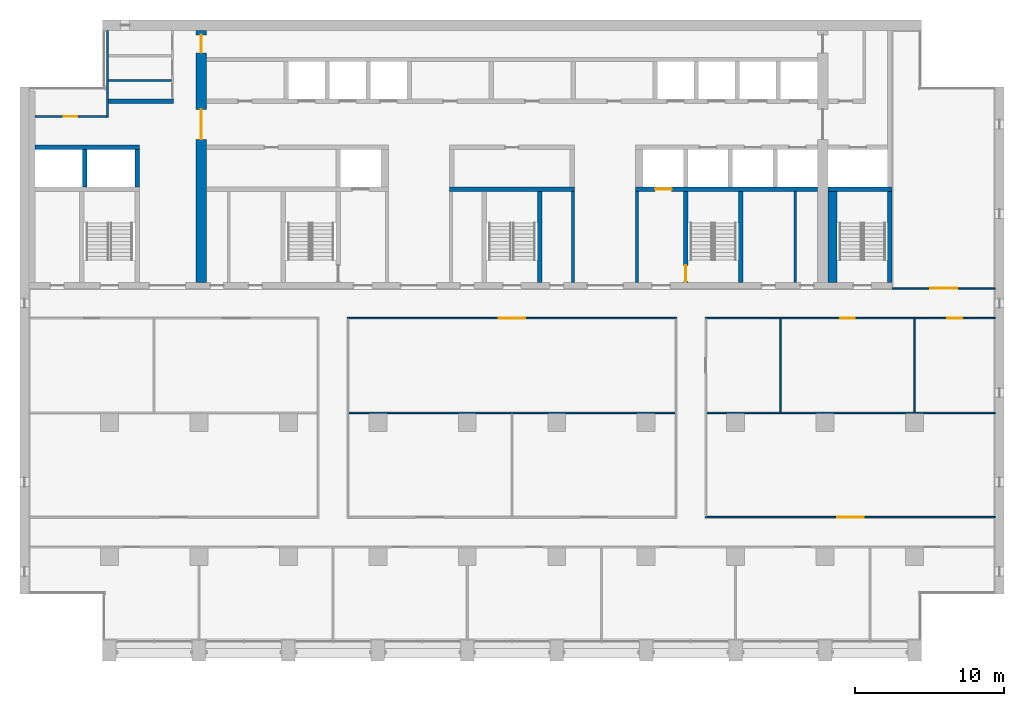
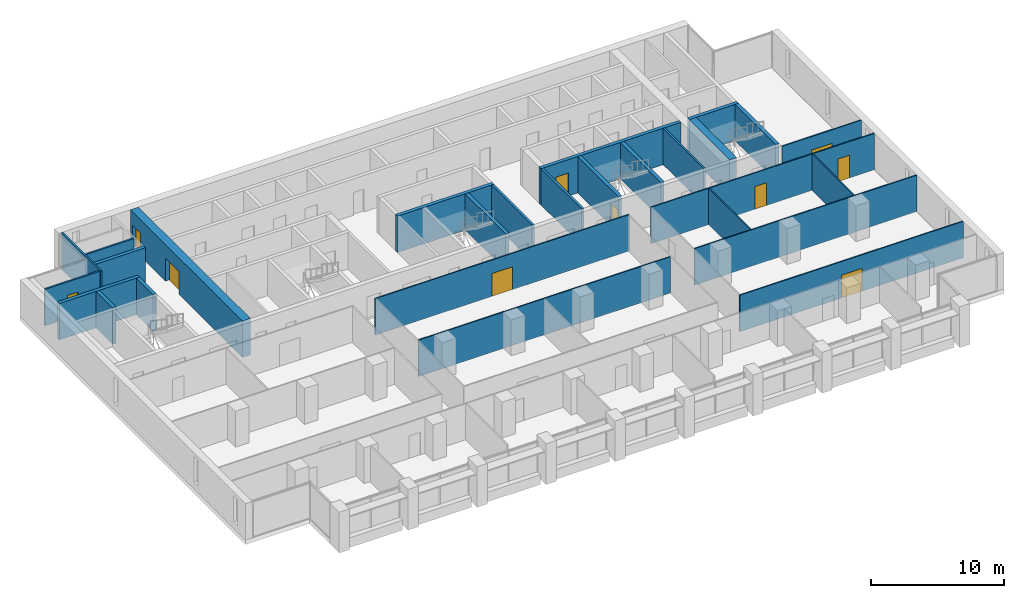
# One storey, part 10 of 17: 27 walls, 10 doors, 10 openings.
"""IFC4 building model written with IfcOpenShell, lengths in metres."""

from ifc_helpers import new_model, si_unit, direction, frame, frame_2d, origin, place, context, subcontext, project, spatial, rectangle, extrude, material, layer, layer_set, type_object, element, fill, save


model = new_model("IFC4")

# Units and contexts
model_context = context("Model", 3, precision=1e-05, world=origin(), true_north=direction((0.0, 1.0)))
body_context = subcontext(model_context, "Body", "Model", "MODEL_VIEW")
ifc_project = project(units=[si_unit("LENGTHUNIT", "METRE"), si_unit("AREAUNIT", "SQUARE_METRE"), si_unit("VOLUMEUNIT", "CUBIC_METRE"), si_unit("PLANEANGLEUNIT", "RADIAN"), si_unit("MASSUNIT", "GRAM", prefix="KILO")], contexts=[model_context])

# Site, building, storey
site_placement = place(None, origin())
site = spatial("IfcSite", under=ifc_project, at=site_placement, CompositionType="ELEMENT")
building_placement = place(site_placement, origin())
building = spatial("IfcBuilding", under=site, at=building_placement, Name="Calvaro Tower", CompositionType="ELEMENT")
storey_placement = place(building_placement, frame((0.0, 0.0, 174.25)))
storey = spatial("IfcBuildingStorey", under=building, at=storey_placement, Name="L43", CompositionType="ELEMENT", Elevation=174.25)

# Walls
ifc_material_1 = material(Name="Blockwork partition", Category="masonry")
ifc_layer_1 = layer(ifc_material_1, 0.14990234375)
ifc_layer_set_1 = layer_set([ifc_layer_1], Name="Blockwork partition")
wall_type_1 = type_object("IfcWallType", Name="Core partition 150 EI 60", PredefinedType="PARTITIONING", material=ifc_layer_set_1)
wall_1_placement = place(storey_placement, frame((58.0, 28.39990234375, 0.0), z_axis=(0.0, 0.0, 1.0), x_axis=(0.0, 1.0, 0.0)))
element("IfcWall", 1, at=wall_1_placement, inside=storey, type_object=wall_type_1, Name="Core partition", PredefinedType="PARTITIONING", context=body_context, shape_type="SweptSolid", body=[
    extrude(rectangle(XDim=6.10009765625, YDim=0.14990234375, at=frame_2d((3.050048828125, 0.0))), origin(), (0.0, 0.0, 1.0), 3.35009765625),
])
wall_2_placement = place(storey_placement, frame((11.949951171875, 41.949951171875, 0.0), z_axis=(0.0, 0.0, 1.0), x_axis=(1.0, 0.0, 0.0)))
element("IfcWall", 2, at=wall_2_placement, inside=storey, type_object=wall_type_1, Name="Core partition", PredefinedType="PARTITIONING", context=body_context, shape_type="SweptSolid", body=[
    extrude(rectangle(XDim=4.199951171875, YDim=0.14990234375, at=frame_2d((2.10009765625, 0.0))), origin(), (0.0, 0.0, 1.0), 3.35009765625),
])
ifc_material_2 = material(Name="Blockwork partition", Category="masonry")
ifc_layer_2 = layer(ifc_material_2, 0.14990234375)
ifc_layer_set_2 = layer_set([ifc_layer_2], Name="Blockwork partition")
wall_type_2 = type_object("IfcWallType", Name="Core partition 150 REI 120", PredefinedType="PARTITIONING", material=ifc_layer_set_2)
wall_3_placement = place(storey_placement, frame((11.875, 39.449951171875, 0.0), z_axis=(0.0, 0.0, 1.0), x_axis=(0.0, 1.0, 0.0)))
element("IfcWall", 3, at=wall_3_placement, inside=storey, type_object=wall_type_2, Name="Core partition", PredefinedType="PARTITIONING", context=body_context, shape_type="SweptSolid", body=[
    extrude(rectangle(XDim=5.85009765625, YDim=0.14990234375, at=frame_2d((2.925048828125, 0.0))), origin(), (0.0, 0.0, 1.0), 3.35009765625),
])

# Wall, opening, door
wall_4_placement = place(storey_placement, frame((7.0, 39.52490234375, 0.0), z_axis=(0.0, 0.0, 1.0), x_axis=(1.0, 0.0, 0.0)))
wall_4 = element("IfcWall", 4, at=wall_4_placement, inside=storey, type_object=wall_type_2, Name="Core partition", PredefinedType="PARTITIONING", context=body_context, shape_type="SweptSolid", body=[
    extrude(rectangle(XDim=4.800048828125, YDim=0.14990234375, at=frame_2d((2.39990234375, 0.0))), origin(), (0.0, 0.0, 1.0), 3.35009765625),
])
opening_1_placement = place(wall_4_placement, frame((1.949951171875, 0.0, 0.0)))
opening_1 = element("IfcOpeningElement", 5, at=opening_1_placement, cuts=wall_4, Name="Opening RD9", PredefinedType="OPENING", context=body_context, shape_type="SweptSolid", body=[
    extrude(rectangle(XDim=0.89990234375, YDim=2.10009765625, at=frame_2d((0.449951171875, 1.050048828125))), frame((0.0, 0.0849609375, 0.0), z_axis=(0.0, -1.0, 0.0), x_axis=(1.0, 0.0, 0.0)), (0.0, 0.0, 1.0), 0.169921875),
])
ifc_material_3 = material(Name="Steel door set", Category="steel")
door_type_1 = type_object("IfcDoorType", Name="Room door 900", OperationType="SINGLE_SWING_LEFT", PredefinedType="DOOR", material=ifc_material_3)
door_1_placement = place(opening_1_placement, origin())
door_1 = element("IfcDoor", 6, at=door_1_placement, inside=storey, type_object=door_type_1, Name="Room door", OperationType="SINGLE_SWING_LEFT", OverallHeight=2.10009765625, OverallWidth=0.89990234375, PredefinedType="DOOR", context=body_context, shape_type="SweptSolid", body=[
    extrude(rectangle(XDim=0.89990234375, YDim=2.10009765625, at=frame_2d((0.449951171875, 1.050048828125))), frame((0.0, 0.02490234375, 0.0), z_axis=(0.0, -1.0, 0.0), x_axis=(1.0, 0.0, 0.0)), (0.0, 0.0, 1.0), 0.050048828125),
])
fill(opening_1, door_1)

# Walls
ifc_material_4 = material(Name="Blockwork partition", Category="masonry")
ifc_layer_3 = layer(ifc_material_4, 0.199951171875)
ifc_layer_set_3 = layer_set([ifc_layer_3], Name="Blockwork partition")
wall_type_3 = type_object("IfcWallType", Name="Core partition 200 REI 120", PredefinedType="PARTITIONING", material=ifc_layer_set_3)
for number, where, z_axis, x_axis, name in (
    (7, (43.10009765625, 28.39990234375, 0.0), (0.0, 0.0, 1.0), (0.0, 1.0, 0.0), "Core partition"),
    (8, (47.39990234375, 28.39990234375, 0.0), (0.0, 0.0, 1.0), (0.0, 1.0, 0.0), "Core partition"),
):
    element("IfcWall", number, at=place(storey_placement, frame(where, z_axis=z_axis, x_axis=x_axis)), inside=storey, type_object=wall_type_3, Name=name, PredefinedType="PARTITIONING", context=body_context, shape_type="SweptSolid", body=[
        extrude(rectangle(XDim=6.10009765625, YDim=0.199951171875, at=frame_2d((3.050048828125, 0.0))), origin(), (0.0, 0.0, 1.0), 3.35009765625),
    ])
ifc_material_5 = material(Name="Blockwork partition", Category="masonry")
ifc_layer_4 = layer(ifc_material_5, 0.300048828125)
ifc_layer_set_4 = layer_set([ifc_layer_4], Name="Blockwork partition")
wall_type_4 = type_object("IfcWallType", Name="Core partition 300 REI 120", PredefinedType="PARTITIONING", material=ifc_layer_set_4)
wall_5_placement = place(storey_placement, frame((11.949951171875, 40.550048828125, 0.0), z_axis=(0.0, 0.0, 1.0), x_axis=(1.0, 0.0, 0.0)))
element("IfcWall", 9, at=wall_5_placement, inside=storey, type_object=wall_type_4, Name="Core partition", PredefinedType="PARTITIONING", context=body_context, shape_type="SweptSolid", body=[
    extrude(rectangle(XDim=4.35009765625, YDim=0.300048828125, at=frame_2d((2.175048828125, 0.0))), origin(), (0.0, 0.0, 1.0), 3.35009765625),
])
ifc_material_6 = material(Name="Concrete C50/60", Category="concrete")
ifc_layer_5 = layer(ifc_material_6, 0.300048828125)
ifc_layer_set_5 = layer_set([ifc_layer_5], Name="Concrete C50/60")
wall_type_5 = type_object("IfcWallType", Name="Core wall C50/60 300", PredefinedType="SHEAR", material=ifc_layer_set_5)
wall_6_placement = place(storey_placement, frame((40.85009765625, 28.39990234375, 0.0), z_axis=(0.0, 0.0, 1.0), x_axis=(0.0, 1.0, 0.0)))
element("IfcWall", 10, at=wall_6_placement, inside=storey, type_object=wall_type_5, Name="Core wall, stair enclosure", PredefinedType="SHEAR", context=body_context, shape_type="SweptSolid", body=[
    extrude(rectangle(XDim=6.10009765625, YDim=0.300048828125, at=frame_2d((3.050048828125, 0.0))), origin(), (0.0, 0.0, 1.0), 3.35009765625),
])

# Wall, opening, door
wall_7_placement = place(storey_placement, frame((50.64990234375, 34.5, 0.0), z_axis=(0.0, 0.0, 1.0), x_axis=(0.0, -1.0, 0.0)))
wall_7 = element("IfcWall", 11, at=wall_7_placement, inside=storey, type_object=wall_type_5, Name="Core wall, stair enclosure", PredefinedType="SHEAR", context=body_context, shape_type="SweptSolid", body=[
    extrude(rectangle(XDim=6.10009765625, YDim=0.300048828125, at=frame_2d((3.050048828125, 0.0))), origin(), (0.0, 0.0, 1.0), 3.35009765625),
])
opening_2_placement = place(wall_7_placement, frame((4.949951171875, 0.0, 0.0)))
opening_2 = element("IfcOpeningElement", 12, at=opening_2_placement, cuts=wall_7, Name="Opening FD11D", PredefinedType="OPENING", context=body_context, shape_type="SweptSolid", body=[
    extrude(rectangle(XDim=1.10009765625, YDim=2.10009765625, at=frame_2d((0.550048828125, 1.050048828125))), frame((0.0, 0.159912109375, 0.0), z_axis=(0.0, -1.0, 0.0), x_axis=(1.0, 0.0, 0.0)), (0.0, 0.0, 1.0), 0.320068359375),
])
ifc_material_7 = material(Name="Steel door set", Category="steel")
door_type_2 = type_object("IfcDoorType", Name="Fire door 1100 FD30S", OperationType="SINGLE_SWING_LEFT", PredefinedType="DOOR", material=ifc_material_7)
door_2_placement = place(opening_2_placement, origin())
door_2 = element("IfcDoor", 13, at=door_2_placement, inside=storey, type_object=door_type_2, Name="Fire door", OperationType="SINGLE_SWING_RIGHT", OverallHeight=2.10009765625, OverallWidth=1.10009765625, PredefinedType="DOOR", context=body_context, shape_type="SweptSolid", body=[
    extrude(rectangle(XDim=1.10009765625, YDim=2.10009765625, at=frame_2d((0.550048828125, 1.050048828125))), frame((0.0, 0.02490234375, 0.0), z_axis=(0.0, -1.0, 0.0), x_axis=(1.0, 0.0, 0.0)), (0.0, 0.0, 1.0), 0.050048828125),
])
fill(opening_2, door_2)

# Walls
for number, where, z_axis, x_axis, name in (
    (14, (54.35009765625, 28.39990234375, 0.0), (0.0, 0.0, 1.0), (0.0, 1.0, 0.0), "Core wall, stair enclosure"),
    (15, (64.35009765625, 28.39990234375, 0.0), (0.0, 0.0, 1.0), (0.0, 1.0, 0.0), "Core wall, stair enclosure"),
):
    element("IfcWall", number, at=place(storey_placement, frame(where, z_axis=z_axis, x_axis=x_axis)), inside=storey, type_object=wall_type_5, Name=name, PredefinedType="SHEAR", context=body_context, shape_type="SweptSolid", body=[
        extrude(rectangle(XDim=6.10009765625, YDim=0.300048828125, at=frame_2d((3.050048828125, 0.0))), origin(), (0.0, 0.0, 1.0), 3.35009765625),
    ])
wall_8_placement = place(storey_placement, frame((34.800048828125, 34.64990234375, 0.0), z_axis=(0.0, 0.0, 1.0), x_axis=(1.0, 0.0, 0.0)))
element("IfcWall", 16, at=wall_8_placement, inside=storey, type_object=wall_type_5, Name="Core wall, lift shaft", PredefinedType="SHEAR", context=body_context, shape_type="SweptSolid", body=[
    extrude(rectangle(XDim=8.39990234375, YDim=0.300048828125, at=frame_2d((4.199951171875, 0.0))), origin(), (0.0, 0.0, 1.0), 3.35009765625),
])

# Wall, opening, door
wall_9_placement = place(storey_placement, frame((47.300048828125, 34.64990234375, 0.0), z_axis=(0.0, 0.0, 1.0), x_axis=(1.0, 0.0, 0.0)))
wall_9 = element("IfcWall", 17, at=wall_9_placement, inside=storey, type_object=wall_type_5, Name="Core wall, lift shaft", PredefinedType="SHEAR", context=body_context, shape_type="SweptSolid", body=[
    extrude(rectangle(XDim=12.199951171875, YDim=0.300048828125, at=frame_2d((6.10009765625, 0.0))), origin(), (0.0, 0.0, 1.0), 3.35009765625),
])
opening_3_placement = place(wall_9_placement, frame((1.300048828125, 0.0, 0.0)))
opening_3 = element("IfcOpeningElement", 18, at=opening_3_placement, cuts=wall_9, Name="Opening FF2", PredefinedType="OPENING", context=body_context, shape_type="SweptSolid", body=[
    extrude(rectangle(XDim=1.10009765625, YDim=2.10009765625, at=frame_2d((0.550048828125, 1.050048828125))), frame((0.0, 0.159912109375, 0.0), z_axis=(0.0, -1.0, 0.0), x_axis=(1.0, 0.0, 0.0)), (0.0, 0.0, 1.0), 0.320068359375),
])
ifc_material_8 = material(Name="Stainless steel", Category="steel")
door_type_3 = type_object("IfcDoorType", Name="Landing door 1100 E 60", OperationType="SLIDING_TO_LEFT", PredefinedType="DOOR", material=ifc_material_8)
door_3_placement = place(opening_3_placement, origin())
door_3 = element("IfcDoor", 19, at=door_3_placement, inside=storey, type_object=door_type_3, Name="Landing door FF2", OperationType="SLIDING_TO_LEFT", OverallHeight=2.10009765625, OverallWidth=1.10009765625, PredefinedType="DOOR", context=body_context, shape_type="SweptSolid", body=[
    extrude(rectangle(XDim=1.10009765625, YDim=2.10009765625, at=frame_2d((0.550048828125, 1.050048828125))), frame((0.0, 0.02490234375, 0.0), z_axis=(0.0, -1.0, 0.0), x_axis=(1.0, 0.0, 0.0)), (0.0, 0.0, 1.0), 0.050048828125),
])
fill(opening_3, door_3)

# Walls
wall_10_placement = place(storey_placement, frame((60.199951171875, 34.64990234375, 0.0), z_axis=(0.0, 0.0, 1.0), x_axis=(1.0, 0.0, 0.0)))
element("IfcWall", 20, at=wall_10_placement, inside=storey, type_object=wall_type_5, Name="Core wall, lift shaft", PredefinedType="SHEAR", context=body_context, shape_type="SweptSolid", body=[
    extrude(rectangle(XDim=4.300048828125, YDim=0.300048828125, at=frame_2d((2.14990234375, 0.0))), origin(), (0.0, 0.0, 1.0), 3.35009765625),
])
wall_11_placement = place(storey_placement, frame((7.0, 37.449951171875, 0.0), z_axis=(0.0, 0.0, 1.0), x_axis=(1.0, 0.0, 0.0)))
element("IfcWall", 21, at=wall_11_placement, inside=storey, type_object=wall_type_5, Name="Core wall, lift shaft", PredefinedType="SHEAR", context=body_context, shape_type="SweptSolid", body=[
    extrude(rectangle(XDim=7.0, YDim=0.300048828125, at=frame_2d((3.5, 0.0))), origin(), (0.0, 0.0, 1.0), 3.35009765625),
])
for number, where, z_axis, x_axis, name in (
    (22, (13.85009765625, 34.800048828125, 0.0), (0.0, 0.0, 1.0), (0.0, 1.0, 0.0), "Core wall, lift shaft"),
    (23, (10.35009765625, 34.800048828125, 0.0), (0.0, 0.0, 1.0), (0.0, 1.0, 0.0), "Core wall, lift shaft"),
):
    element("IfcWall", number, at=place(storey_placement, frame(where, z_axis=z_axis, x_axis=x_axis)), inside=storey, type_object=wall_type_5, Name=name, PredefinedType="SHEAR", context=body_context, shape_type="SweptSolid", body=[
        extrude(rectangle(XDim=2.5, YDim=0.300048828125, at=frame_2d((1.25, 0.0))), origin(), (0.0, 0.0, 1.0), 3.35009765625),
    ])
ifc_material_9 = material(Name="Concrete C50/60", Category="concrete")
ifc_layer_6 = layer(ifc_material_9, 0.60009765625)
ifc_layer_set_6 = layer_set([ifc_layer_6], Name="Concrete C50/60")
wall_type_6 = type_object("IfcWallType", Name="Core wall C50/60 600", PredefinedType="SHEAR", material=ifc_layer_set_6)
wall_12_placement = place(storey_placement, frame((60.5, 28.39990234375, 0.0), z_axis=(0.0, 0.0, 1.0), x_axis=(0.0, 1.0, 0.0)))
element("IfcWall", 24, at=wall_12_placement, inside=storey, type_object=wall_type_6, Name="Core wall, stair enclosure", PredefinedType="SHEAR", context=body_context, shape_type="SweptSolid", body=[
    extrude(rectangle(XDim=6.10009765625, YDim=0.60009765625, at=frame_2d((3.050048828125, 0.0))), origin(), (0.0, 0.0, 1.0), 3.35009765625),
])

# Wall, openings, doors
ifc_material_10 = material(Name="Concrete C50/60", Category="concrete")
ifc_layer_7 = layer(ifc_material_10, 0.699951171875)
ifc_layer_set_7 = layer_set([ifc_layer_7], Name="Concrete C50/60")
wall_type_7 = type_object("IfcWallType", Name="Core wall C50/60 700", PredefinedType="SHEAR", material=ifc_layer_set_7)
wall_13_placement = place(storey_placement, frame((18.14990234375, 28.39990234375, 0.0), z_axis=(0.0, 0.0, 1.0), x_axis=(0.0, 1.0, 0.0)))
wall_13 = element("IfcWall", 25, at=wall_13_placement, inside=storey, type_object=wall_type_7, Name="Core wall, cross shear wall", PredefinedType="SHEAR", context=body_context, shape_type="SweptSolid", body=[
    extrude(rectangle(XDim=16.900146484375, YDim=0.699951171875, at=frame_2d((8.4501953125, 0.0))), origin(), (0.0, 0.0, 1.0), 3.35009765625),
])
opening_4_placement = place(wall_13_placement, frame((9.60009765625, 0.0, 0.0)))
opening_4 = element("IfcOpeningElement", 26, at=opening_4_placement, cuts=wall_13, Name="Opening DD20D", PredefinedType="OPENING", context=body_context, shape_type="SweptSolid", body=[
    extrude(rectangle(XDim=2.0, YDim=2.10009765625, at=frame_2d((1.0, 1.050048828125))), frame((0.0, 0.35986328125, 0.0), z_axis=(0.0, -1.0, 0.0), x_axis=(1.0, 0.0, 0.0)), (0.0, 0.0, 1.0), 0.719970703125),
])
opening_5_placement = place(wall_13_placement, frame((15.39990234375, 0.0, 0.0)))
opening_5 = element("IfcOpeningElement", 27, at=opening_5_placement, cuts=wall_13, Name="Opening FD12C", PredefinedType="OPENING", context=body_context, shape_type="SweptSolid", body=[
    extrude(rectangle(XDim=1.199951171875, YDim=2.10009765625, at=frame_2d((0.60009765625, 1.050048828125))), frame((0.0, 0.35986328125, 0.0), z_axis=(0.0, -1.0, 0.0), x_axis=(1.0, 0.0, 0.0)), (0.0, 0.0, 1.0), 0.719970703125),
])
ifc_material_11 = material(Name="Steel door set", Category="steel")
door_type_4 = type_object("IfcDoorType", Name="Fire door 1200 FD30", OperationType="SINGLE_SWING_LEFT", PredefinedType="DOOR", material=ifc_material_11)
door_4_placement = place(opening_5_placement, origin())
door_4 = element("IfcDoor", 28, at=door_4_placement, inside=storey, type_object=door_type_4, Name="Fire door", OperationType="SINGLE_SWING_LEFT", OverallHeight=2.10009765625, OverallWidth=1.199951171875, PredefinedType="DOOR", context=body_context, shape_type="SweptSolid", body=[
    extrude(rectangle(XDim=1.199951171875, YDim=2.10009765625, at=frame_2d((0.60009765625, 1.050048828125))), frame((0.0, 0.02490234375, 0.0), z_axis=(0.0, -1.0, 0.0), x_axis=(1.0, 0.0, 0.0)), (0.0, 0.0, 1.0), 0.050048828125),
])
fill(opening_5, door_4)
ifc_material_12 = material(Name="Steel door set", Category="steel")
door_type_5 = type_object("IfcDoorType", Name="Lobby double door 2000 FD30S", OperationType="DOUBLE_DOOR_SINGLE_SWING", PredefinedType="DOOR", material=ifc_material_12)
door_5_placement = place(opening_4_placement, origin())
door_5 = element("IfcDoor", 29, at=door_5_placement, inside=storey, type_object=door_type_5, Name="Lobby double door", OperationType="DOUBLE_DOOR_SINGLE_SWING", OverallHeight=2.10009765625, OverallWidth=2.0, PredefinedType="DOOR", context=body_context, shape_type="SweptSolid", body=[
    extrude(rectangle(XDim=2.0, YDim=2.10009765625, at=frame_2d((1.0, 1.050048828125))), frame((0.0, 0.02490234375, 0.0), z_axis=(0.0, -1.0, 0.0), x_axis=(1.0, 0.0, 0.0)), (0.0, 0.0, 1.0), 0.050048828125),
])
fill(opening_4, door_5)

# Wall, opening, door
ifc_material_13 = material(Name="Plasterboard on steel studs", Category="steel")
ifc_layer_8 = layer(ifc_material_13, 0.10009765625)
ifc_layer_set_8 = layer_set([ifc_layer_8], Name="Plasterboard on steel studs")
wall_type_8 = type_object("IfcWallType", Name="Partition 100", PredefinedType="PARTITIONING", material=ifc_layer_set_8)
wall_14_placement = place(storey_placement, frame((51.949951171875, 12.64990234375, 0.0), z_axis=(0.0, 0.0, 1.0), x_axis=(1.0, 0.0, 0.0)))
wall_14 = element("IfcWall", 30, at=wall_14_placement, inside=storey, type_object=wall_type_8, Name="Partition T25.W004", PredefinedType="PARTITIONING", context=body_context, shape_type="SweptSolid", body=[
    extrude(rectangle(XDim=19.449951171875, YDim=0.10009765625, at=frame_2d((9.72509765625, 0.0))), origin(), (0.0, 0.0, 1.0), 3.35009765625),
])
opening_6_placement = place(wall_14_placement, frame((8.85009765625, 0.0, 0.0)))
opening_6 = element("IfcOpeningElement", 31, at=opening_6_placement, cuts=wall_14, Name="Opening T25.011", PredefinedType="OPENING", context=body_context, shape_type="SweptSolid", body=[
    extrude(rectangle(XDim=1.800048828125, YDim=2.10009765625, at=frame_2d((0.89990234375, 1.050048828125))), frame((0.0, 0.06005859375, 0.0), z_axis=(0.0, -1.0, 0.0), x_axis=(1.0, 0.0, 0.0)), (0.0, 0.0, 1.0), 0.1201171875),
])
ifc_material_14 = material(Name="Timber", Category="wood")
door_type_6 = type_object("IfcDoorType", Name="Internal double door 1800 x 2100", OperationType="DOUBLE_DOOR_SINGLE_SWING", PredefinedType="DOOR", material=ifc_material_14)
door_6_placement = place(opening_6_placement, origin())
door_6 = element("IfcDoor", 32, at=door_6_placement, inside=storey, type_object=door_type_6, Name="Door T25.011", OperationType="DOUBLE_DOOR_SINGLE_SWING", OverallHeight=2.10009765625, OverallWidth=1.800048828125, PredefinedType="DOOR", context=body_context, shape_type="SweptSolid", body=[
    extrude(rectangle(XDim=1.800048828125, YDim=2.10009765625, at=frame_2d((0.89990234375, 1.050048828125))), frame((0.0, 0.02490234375, 0.0), z_axis=(0.0, -1.0, 0.0), x_axis=(1.0, 0.0, 0.0)), (0.0, 0.0, 1.0), 0.050048828125),
])
fill(opening_6, door_6)

# Walls
wall_15_placement = place(storey_placement, frame((28.050048828125, 19.64990234375, 0.0), z_axis=(0.0, 0.0, 1.0), x_axis=(1.0, 0.0, 0.0)))
element("IfcWall", 33, at=wall_15_placement, inside=storey, type_object=wall_type_8, Name="Partition T25.W006", PredefinedType="PARTITIONING", context=body_context, shape_type="SweptSolid", body=[
    extrude(rectangle(XDim=21.89990234375, YDim=0.10009765625, at=frame_2d((10.949951171875, 0.0))), origin(), (0.0, 0.0, 1.0), 3.35009765625),
])
wall_16_placement = place(storey_placement, frame((52.050048828125, 19.64990234375, 0.0), z_axis=(0.0, 0.0, 1.0), x_axis=(1.0, 0.0, 0.0)))
element("IfcWall", 34, at=wall_16_placement, inside=storey, type_object=wall_type_8, Name="Partition T25.W007", PredefinedType="PARTITIONING", context=body_context, shape_type="SweptSolid", body=[
    extrude(rectangle(XDim=19.349853515625, YDim=0.10009765625, at=frame_2d((9.6748046875, 0.0))), origin(), (0.0, 0.0, 1.0), 3.35009765625),
])

# Wall, opening, door
wall_17_placement = place(storey_placement, frame((27.949951171875, 26.0, 0.0), z_axis=(0.0, 0.0, 1.0), x_axis=(1.0, 0.0, 0.0)))
wall_17 = element("IfcWall", 35, at=wall_17_placement, inside=storey, type_object=wall_type_8, Name="Partition T25.W009", PredefinedType="PARTITIONING", context=body_context, shape_type="SweptSolid", body=[
    extrude(rectangle(XDim=22.10009765625, YDim=0.10009765625, at=frame_2d((11.050048828125, 0.0))), origin(), (0.0, 0.0, 1.0), 3.35009765625),
])
opening_7_placement = place(wall_17_placement, frame((10.14990234375, 0.0, 0.0)))
opening_7 = element("IfcOpeningElement", 36, at=opening_7_placement, cuts=wall_17, Name="Opening T25.014", PredefinedType="OPENING", context=body_context, shape_type="SweptSolid", body=[
    extrude(rectangle(XDim=1.800048828125, YDim=2.10009765625, at=frame_2d((0.89990234375, 1.050048828125))), frame((0.0, 0.06005859375, 0.0), z_axis=(0.0, -1.0, 0.0), x_axis=(1.0, 0.0, 0.0)), (0.0, 0.0, 1.0), 0.1201171875),
])
door_7_placement = place(opening_7_placement, origin())
door_7 = element("IfcDoor", 37, at=door_7_placement, inside=storey, type_object=door_type_6, Name="Door T25.014", OperationType="DOUBLE_DOOR_SINGLE_SWING", OverallHeight=2.10009765625, OverallWidth=1.800048828125, PredefinedType="DOOR", context=body_context, shape_type="SweptSolid", body=[
    extrude(rectangle(XDim=1.800048828125, YDim=2.10009765625, at=frame_2d((0.89990234375, 1.050048828125))), frame((0.0, 0.02490234375, 0.0), z_axis=(0.0, -1.0, 0.0), x_axis=(1.0, 0.0, 0.0)), (0.0, 0.0, 1.0), 0.050048828125),
])
fill(opening_7, door_7)

# Wall, openings, doors
wall_18_placement = place(storey_placement, frame((51.949951171875, 26.0, 0.0), z_axis=(0.0, 0.0, 1.0), x_axis=(1.0, 0.0, 0.0)))
wall_18 = element("IfcWall", 38, at=wall_18_placement, inside=storey, type_object=wall_type_8, Name="Partition T25.W010", PredefinedType="PARTITIONING", context=body_context, shape_type="SweptSolid", body=[
    extrude(rectangle(XDim=19.449951171875, YDim=0.10009765625, at=frame_2d((9.72509765625, 0.0))), origin(), (0.0, 0.0, 1.0), 3.35009765625),
])
opening_8_placement = place(wall_18_placement, frame((9.050048828125, 0.0, 0.0)))
opening_8 = element("IfcOpeningElement", 39, at=opening_8_placement, cuts=wall_18, Name="Opening T25.016", PredefinedType="OPENING", context=body_context, shape_type="SweptSolid", body=[
    extrude(rectangle(XDim=1.0, YDim=2.10009765625, at=frame_2d((0.5, 1.050048828125))), frame((0.0, 0.06005859375, 0.0), z_axis=(0.0, -1.0, 0.0), x_axis=(1.0, 0.0, 0.0)), (0.0, 0.0, 1.0), 0.1201171875),
])
opening_9_placement = place(wall_18_placement, frame((16.25, 0.0, 0.0)))
opening_9 = element("IfcOpeningElement", 40, at=opening_9_placement, cuts=wall_18, Name="Opening T25.017", PredefinedType="OPENING", context=body_context, shape_type="SweptSolid", body=[
    extrude(rectangle(XDim=1.0, YDim=2.10009765625, at=frame_2d((0.5, 1.050048828125))), frame((0.0, 0.06005859375, 0.0), z_axis=(0.0, -1.0, 0.0), x_axis=(1.0, 0.0, 0.0)), (0.0, 0.0, 1.0), 0.1201171875),
])
ifc_material_15 = material(Name="Timber", Category="wood")
door_type_7 = type_object("IfcDoorType", Name="Internal single door 1000 x 2100", OperationType="SINGLE_SWING_LEFT", PredefinedType="DOOR", material=ifc_material_15)
door_8_placement = place(opening_8_placement, origin())
door_8 = element("IfcDoor", 41, at=door_8_placement, inside=storey, type_object=door_type_7, Name="Door T25.016", OperationType="SINGLE_SWING_LEFT", OverallHeight=2.10009765625, OverallWidth=1.0, PredefinedType="DOOR", context=body_context, shape_type="SweptSolid", body=[
    extrude(rectangle(XDim=1.0, YDim=2.10009765625, at=frame_2d((0.5, 1.050048828125))), frame((0.0, 0.02490234375, 0.0), z_axis=(0.0, -1.0, 0.0), x_axis=(1.0, 0.0, 0.0)), (0.0, 0.0, 1.0), 0.050048828125),
])
fill(opening_8, door_8)
door_9_placement = place(opening_9_placement, origin())
door_9 = element("IfcDoor", 42, at=door_9_placement, inside=storey, type_object=door_type_7, Name="Door T25.017", OperationType="SINGLE_SWING_RIGHT", OverallHeight=2.10009765625, OverallWidth=1.0, PredefinedType="DOOR", context=body_context, shape_type="SweptSolid", body=[
    extrude(rectangle(XDim=1.0, YDim=2.10009765625, at=frame_2d((0.5, 1.050048828125))), frame((0.0, 0.02490234375, 0.0), z_axis=(0.0, -1.0, 0.0), x_axis=(1.0, 0.0, 0.0)), (0.0, 0.0, 1.0), 0.050048828125),
])
fill(opening_9, door_9)

# Wall, opening, door
wall_19_placement = place(storey_placement, frame((64.5, 28.0, 0.0), z_axis=(0.0, 0.0, 1.0), x_axis=(1.0, 0.0, 0.0)))
wall_19 = element("IfcWall", 43, at=wall_19_placement, inside=storey, type_object=wall_type_8, Name="Partition T25.W011", PredefinedType="PARTITIONING", context=body_context, shape_type="SweptSolid", body=[
    extrude(rectangle(XDim=6.89990234375, YDim=0.10009765625, at=frame_2d((3.449951171875, 0.0))), origin(), (0.0, 0.0, 1.0), 3.35009765625),
])
opening_10_placement = place(wall_19_placement, frame((2.550048828125, 0.0, 0.0)))
opening_10 = element("IfcOpeningElement", 44, at=opening_10_placement, cuts=wall_19, Name="Opening T25.018", PredefinedType="OPENING", context=body_context, shape_type="SweptSolid", body=[
    extrude(rectangle(XDim=1.800048828125, YDim=2.10009765625, at=frame_2d((0.89990234375, 1.050048828125))), frame((0.0, 0.06005859375, 0.0), z_axis=(0.0, -1.0, 0.0), x_axis=(1.0, 0.0, 0.0)), (0.0, 0.0, 1.0), 0.1201171875),
])
door_10_placement = place(opening_10_placement, origin())
door_10 = element("IfcDoor", 45, at=door_10_placement, inside=storey, type_object=door_type_6, Name="Door T25.018", OperationType="DOUBLE_DOOR_SINGLE_SWING", OverallHeight=2.10009765625, OverallWidth=1.800048828125, PredefinedType="DOOR", context=body_context, shape_type="SweptSolid", body=[
    extrude(rectangle(XDim=1.800048828125, YDim=2.10009765625, at=frame_2d((0.89990234375, 1.050048828125))), frame((0.0, 0.02490234375, 0.0), z_axis=(0.0, -1.0, 0.0), x_axis=(1.0, 0.0, 0.0)), (0.0, 0.0, 1.0), 0.050048828125),
])
fill(opening_10, door_10)

# Walls
for number, where, z_axis, x_axis, name in (
    (46, (57.0, 19.699951171875, 0.0), (0.0, 0.0, 1.0), (0.0, 1.0, 0.0), "Partition T25.W023"),
    (47, (66.0, 19.699951171875, 0.0), (0.0, 0.0, 1.0), (0.0, 1.0, 0.0), "Partition T25.W025"),
):
    element("IfcWall", number, at=place(storey_placement, frame(where, z_axis=z_axis, x_axis=x_axis)), inside=storey, type_object=wall_type_8, Name=name, PredefinedType="PARTITIONING", context=body_context, shape_type="SweptSolid", body=[
        extrude(rectangle(XDim=6.25, YDim=0.10009765625, at=frame_2d((3.125, 0.0))), origin(), (0.0, 0.0, 1.0), 3.35009765625),
    ])

save(model, "model.ifc")
